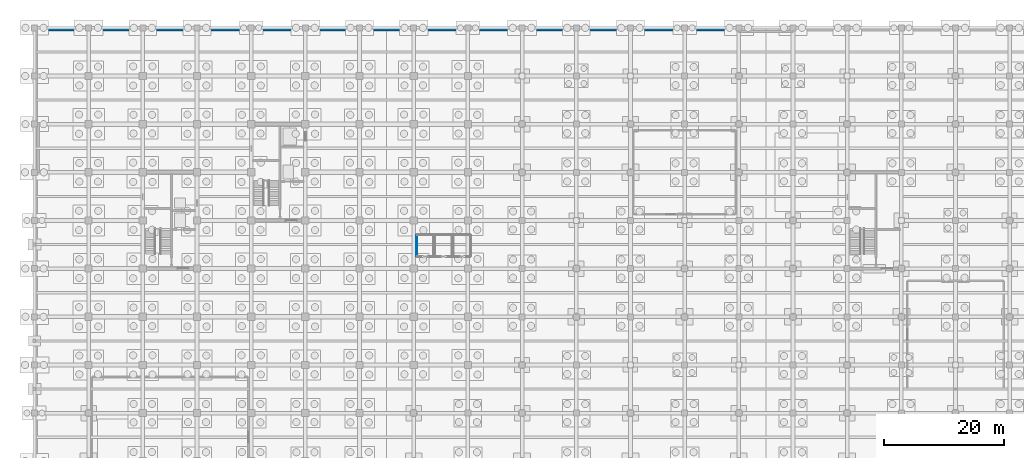
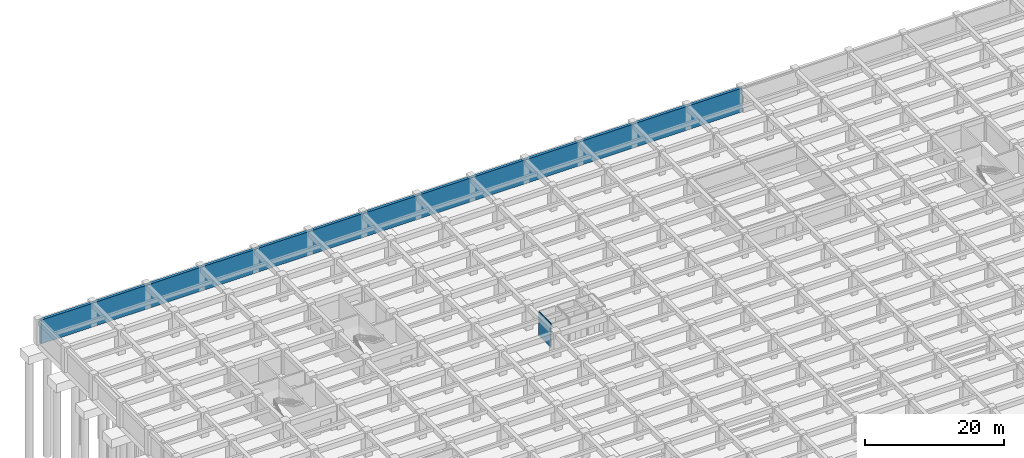
# One storey, part 22 of 31: 2 walls.
"""IFC4 building model written with IfcOpenShell, lengths in metres."""

from ifc_helpers import new_model, si_unit, direction, frame, frame_2d, origin, place, context, subcontext, project, spatial, rectangle, extrude, material, layer, layer_set, type_object, element, save


model = new_model("IFC4")

# Units and contexts
model_context = context("Model", 3, precision=1e-05, world=origin(), true_north=direction((0.0, 1.0)))
body_context = subcontext(model_context, "Body", "Model", "MODEL_VIEW")
ifc_project = project(units=[si_unit("LENGTHUNIT", "METRE"), si_unit("AREAUNIT", "SQUARE_METRE"), si_unit("VOLUMEUNIT", "CUBIC_METRE"), si_unit("PLANEANGLEUNIT", "RADIAN"), si_unit("MASSUNIT", "GRAM", prefix="KILO")], contexts=[model_context])

# Site, building, storey
site_placement = place(None, origin())
site = spatial("IfcSite", under=ifc_project, at=site_placement, CompositionType="ELEMENT")
building_placement = place(site_placement, origin())
building = spatial("IfcBuilding", under=site, at=building_placement, Name="Zaverband Oceanarium and Marine Research Institute", CompositionType="ELEMENT")
storey_placement = place(building_placement, frame((0.0, 0.0, -9.0)))
storey = spatial("IfcBuildingStorey", under=building, at=storey_placement, Name="B2", CompositionType="ELEMENT", Elevation=-9.0)

# Walls
ifc_material_1 = material(Name="Ceramic-tiled wet-room blockwork", Category="masonry")
ifc_layer_1 = layer(ifc_material_1, 0.14990234375, Name="Ceramic-tiled wet-room blockwork")
ifc_layer_set_1 = layer_set([ifc_layer_1], Name="Ceramic-tiled wet-room blockwork")
wall_type_1 = type_object("IfcWallType", Name="PT-150-WC", PredefinedType="PARTITIONING", material=ifc_layer_set_1)
wall_1_placement = place(storey_placement, frame((63.5, 82.074951171875, 0.0), z_axis=(0.0, 0.0, 1.0), x_axis=(0.0, 1.0, 0.0)))
element("IfcWall", 1, at=wall_1_placement, inside=storey, type_object=wall_type_1, Name="Internal partition PT-150-WC", PredefinedType="PARTITIONING", context=body_context, shape_type="SweptSolid", body=[
    extrude(rectangle(XDim=3.449951171875, YDim=0.14990234375, at=frame_2d((1.72509765625, 0.0))), origin(), (0.0, 0.0, 1.0), 4.199951171875),
])
ifc_material_2 = material(Name="Concrete C45/55", Category="concrete")
ifc_layer_2 = layer(ifc_material_2, 0.47998046875, Name="Concrete C45/55")
ifc_layer_set_2 = layer_set([ifc_layer_2], Name="Concrete C45/55")
wall_type_2 = type_object("IfcWallType", Name="RW-01", PredefinedType="SHEAR", material=ifc_layer_set_2)
wall_2_placement = place(storey_placement, frame((117.0, 119.75, 0.0), z_axis=(0.0, 0.0, 1.0), x_axis=(-1.0, 0.0, 0.0)))
element("IfcWall", 2, at=wall_2_placement, inside=storey, type_object=wall_type_2, Name="Basement retaining wall RW-01", PredefinedType="SHEAR", context=body_context, shape_type="SweptSolid", body=[
    extrude(rectangle(XDim=116.75, YDim=0.47998046875, at=frame_2d((58.375, 0.0))), origin(), (0.0, 0.0, 1.0), 4.199951171875),
])

save(model, "model.ifc")
